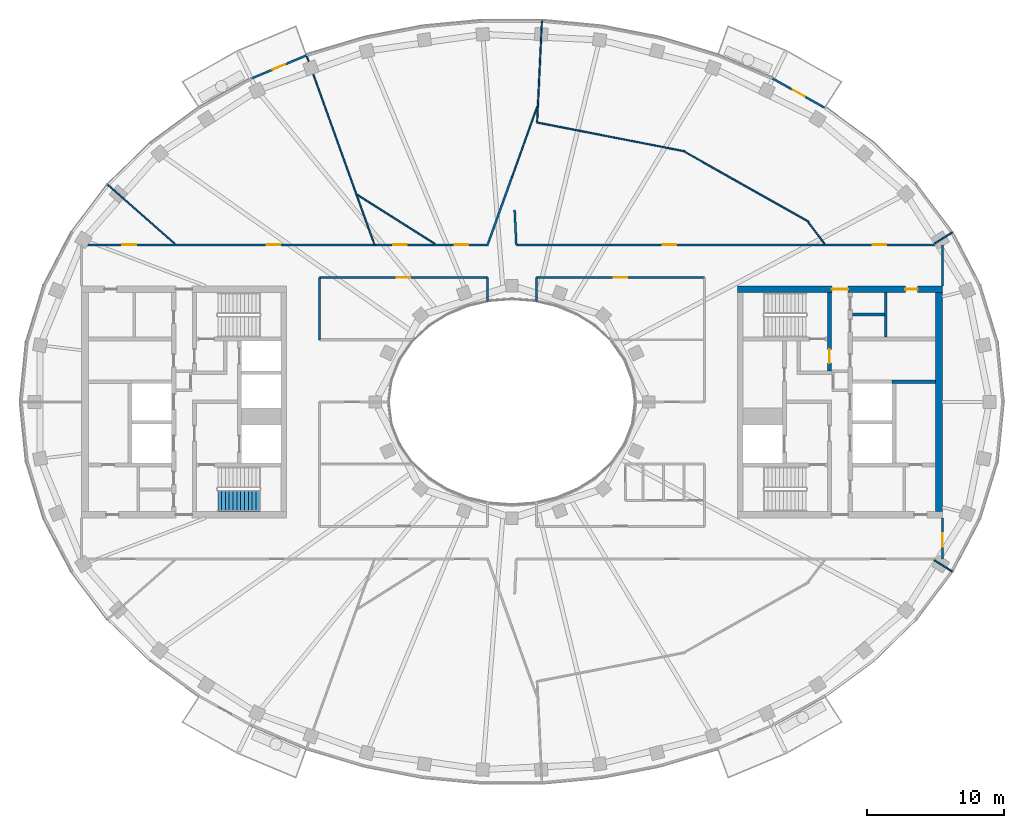
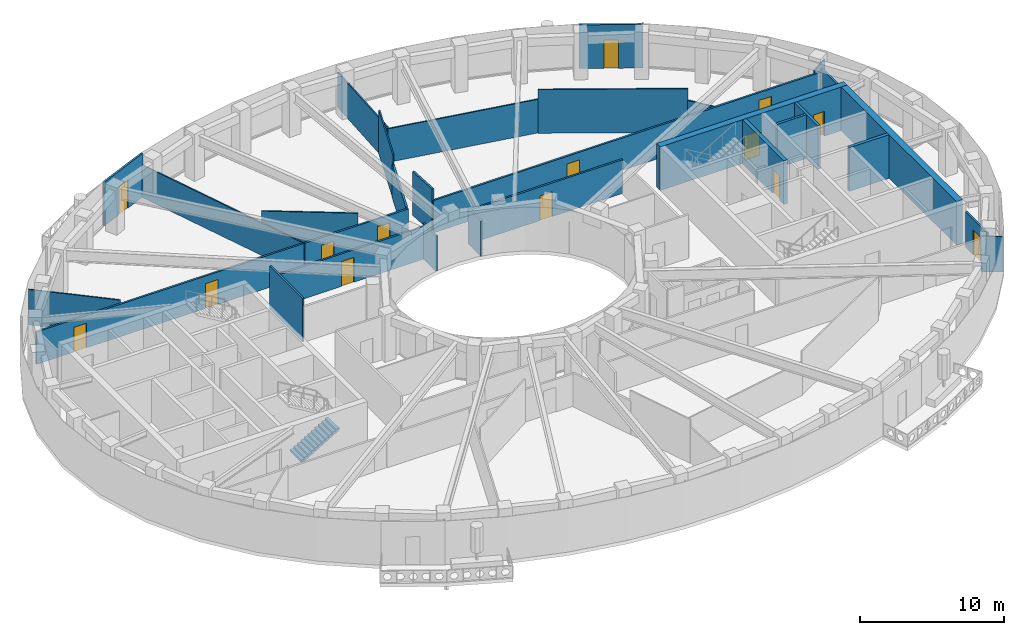
# One storey, part 6 of 15: 30 walls, 14 doors, 1 stair flight, 14 openings, 1 element without a shape of its own.
"""IFC4 building model written with IfcOpenShell, lengths in metres."""

from ifc_helpers import new_model, si_unit, direction, frame, frame_2d, origin, place, context, subcontext, project, spatial, polyline, rectangle, outline, extrude, material, layer, layer_set, type_object, element, fill, aggregate, save


model = new_model("IFC4")

# Units and contexts
model_context = context("Model", 3, precision=1e-05, world=origin(), true_north=direction((0.0, 1.0)))
body_context = subcontext(model_context, "Body", "Model", "MODEL_VIEW")
ifc_project = project(units=[si_unit("LENGTHUNIT", "METRE"), si_unit("AREAUNIT", "SQUARE_METRE"), si_unit("VOLUMEUNIT", "CUBIC_METRE"), si_unit("PLANEANGLEUNIT", "RADIAN"), si_unit("MASSUNIT", "GRAM", prefix="KILO")], contexts=[model_context])

# Site, building, storey
site_placement = place(None, origin())
site = spatial("IfcSite", under=ifc_project, at=site_placement, CompositionType="ELEMENT")
building_placement = place(site_placement, origin())
building = spatial("IfcBuilding", under=site, at=building_placement, Name="Noorbagh Ring Tower", CompositionType="ELEMENT")
storey_placement = place(building_placement, frame((0.0, 0.0, 307.0)))
storey = spatial("IfcBuildingStorey", under=building, at=storey_placement, Name="L66", CompositionType="ELEMENT", Elevation=307.0)

# Walls
ifc_material_1 = material(Name="Gypsum board on steel studs", Category="steel")
ifc_layer_1 = layer(ifc_material_1, 0.199951171875)
ifc_layer_set_1 = layer_set([ifc_layer_1], Name="Gypsum board on steel studs")
wall_type_1 = type_object("IfcWallType", Name="CORE-PARTITION-200", PredefinedType="PARTITIONING", material=ifc_layer_set_1)
wall_1_placement = place(storey_placement, frame((27.35009765625, 4.75, 0.0), z_axis=(0.0, 0.0, 1.0), x_axis=(0.0, 1.0, 0.0)))
element("IfcWall", 1, at=wall_1_placement, inside=storey, type_object=wall_type_1, Name="Core partition E", PredefinedType="PARTITIONING", context=body_context, shape_type="SweptSolid", body=[
    extrude(rectangle(XDim=3.25, YDim=0.199951171875, at=frame_2d((1.625, 0.0))), origin(), (0.0, 0.0, 1.0), 3.699951171875),
])
wall_2_placement = place(storey_placement, frame((24.89990234375, 6.39990234375, 0.0), z_axis=(0.0, 0.0, 1.0), x_axis=(1.0, 0.0, 0.0)))
element("IfcWall", 2, at=wall_2_placement, inside=storey, type_object=wall_type_1, Name="Core partition E", PredefinedType="PARTITIONING", context=body_context, shape_type="SweptSolid", body=[
    extrude(rectangle(XDim=2.35009765625, YDim=0.199951171875, at=frame_2d((1.175048828125, 0.0))), origin(), (0.0, 0.0, 1.0), 3.699951171875),
])
ifc_material_2 = material(Name="Concrete C50/60", Category="concrete")
ifc_layer_2 = layer(ifc_material_2, 0.25)
ifc_layer_set_2 = layer_set([ifc_layer_2], Name="Concrete C50/60")
wall_type_2 = type_object("IfcWallType", Name="CORE-WALL-250-C50-60-EI120", PredefinedType="SHEAR", material=ifc_layer_set_2)
wall_3_placement = place(storey_placement, frame((27.800048828125, 1.47509765625, 0.0), z_axis=(0.0, 0.0, 1.0), x_axis=(1.0, 0.0, 0.0)))
element("IfcWall", 3, at=wall_3_placement, inside=storey, type_object=wall_type_2, Name="Core wall E", PredefinedType="SHEAR", context=body_context, shape_type="SweptSolid", body=[
    extrude(rectangle(XDim=3.199951171875, YDim=0.25, at=frame_2d((1.60009765625, 0.0))), origin(), (0.0, 0.0, 1.0), 3.699951171875),
])

# Wall, opening, door
ifc_material_3 = material(Name="Concrete C50/60", Category="concrete")
ifc_layer_3 = layer(ifc_material_3, 0.300048828125)
ifc_layer_set_3 = layer_set([ifc_layer_3], Name="Concrete C50/60")
wall_type_3 = type_object("IfcWallType", Name="CORE-WALL-300-C50-60-EI240", PredefinedType="SHEAR", material=ifc_layer_set_3)
wall_4_placement = place(storey_placement, frame((23.22998046875, 2.25, 0.0), z_axis=(0.0, 0.0, 1.0), x_axis=(0.0, 1.0, 0.0)))
wall_4 = element("IfcWall", 4, at=wall_4_placement, inside=storey, type_object=wall_type_3, Name="Core wall E", PredefinedType="SHEAR", context=body_context, shape_type="SweptSolid", body=[
    extrude(rectangle(XDim=5.75, YDim=0.300048828125, at=frame_2d((2.875, 0.0))), origin(), (0.0, 0.0, 1.0), 3.699951171875),
])
opening_1_placement = place(wall_4_placement, frame((0.60009765625, 0.0, 0.0)))
opening_1 = element("IfcOpeningElement", 5, at=opening_1_placement, cuts=wall_4, Name="Opening L66-CE07", PredefinedType="OPENING", context=body_context, shape_type="SweptSolid", body=[
    extrude(rectangle(XDim=1.0, YDim=2.10009765625, at=frame_2d((0.5, 1.050048828125))), frame((0.0, 0.16015625, 0.0), z_axis=(0.0, -1.0, 0.0), x_axis=(1.0, 0.0, 0.0)), (0.0, 0.0, 1.0), 0.320068359375),
])
ifc_material_4 = material(Name="Steel door leaf", Category="steel")
door_type_1 = type_object("IfcDoorType", Name="CORE-DOOR-DVEST", OperationType="SINGLE_SWING_LEFT", PredefinedType="DOOR", material=ifc_material_4)
door_1_placement = place(opening_1_placement, origin())
door_1 = element("IfcDoor", 6, at=door_1_placement, inside=storey, type_object=door_type_1, Name="Stair vestibule door L66-CE07", OperationType="SINGLE_SWING_RIGHT", OverallHeight=2.10009765625, OverallWidth=1.0, PredefinedType="DOOR", context=body_context, shape_type="SweptSolid", body=[
    extrude(rectangle(XDim=1.0, YDim=2.10009765625, at=frame_2d((0.5, 1.050048828125))), frame((0.0, 0.02490234375, 0.0), z_axis=(0.0, -1.0, 0.0), x_axis=(1.0, 0.0, 0.0)), (0.0, 0.0, 1.0), 0.050048828125),
])
fill(opening_1, door_1)

# Wall, openings, doors
ifc_material_5 = material(Name="Concrete C50/60", Category="concrete")
ifc_layer_4 = layer(ifc_material_5, 0.5)
ifc_layer_set_4 = layer_set([ifc_layer_4], Name="Concrete C50/60")
wall_type_4 = type_object("IfcWallType", Name="CORE-WALL-500-C50-60-EI240", PredefinedType="SHEAR", material=ifc_layer_set_4)
wall_5_placement = place(storey_placement, frame((16.5, 8.25, 0.0), z_axis=(0.0, 0.0, 1.0), x_axis=(1.0, 0.0, 0.0)))
wall_5 = element("IfcWall", 7, at=wall_5_placement, inside=storey, type_object=wall_type_4, Name="Core wall E", PredefinedType="SHEAR", context=body_context, shape_type="SweptSolid", body=[
    extrude(rectangle(XDim=15.0, YDim=0.5, at=frame_2d((7.5, 0.0))), origin(), (0.0, 0.0, 1.0), 3.699951171875),
])
opening_2_placement = place(wall_5_placement, frame((6.89990234375, 0.0, 0.0)))
opening_2 = element("IfcOpeningElement", 8, at=opening_2_placement, cuts=wall_5, Name="Opening L66-CE08", PredefinedType="OPENING", context=body_context, shape_type="SweptSolid", body=[
    extrude(rectangle(XDim=1.199951171875, YDim=2.10009765625, at=frame_2d((0.60009765625, 1.050048828125))), frame((0.0, 0.260009765625, 0.0), z_axis=(0.0, -1.0, 0.0), x_axis=(1.0, 0.0, 0.0)), (0.0, 0.0, 1.0), 0.52001953125),
])
opening_3_placement = place(wall_5_placement, frame((12.27490234375, 0.0, 0.0)))
opening_3 = element("IfcOpeningElement", 9, at=opening_3_placement, cuts=wall_5, Name="Opening L66-CE14", PredefinedType="OPENING", context=body_context, shape_type="SweptSolid", body=[
    extrude(rectangle(XDim=0.89990234375, YDim=2.10009765625, at=frame_2d((0.449951171875, 1.050048828125))), frame((0.0, 0.260009765625, 0.0), z_axis=(0.0, -1.0, 0.0), x_axis=(1.0, 0.0, 0.0)), (0.0, 0.0, 1.0), 0.52001953125),
])
ifc_material_6 = material(Name="Steel door leaf", Category="steel")
door_type_2 = type_object("IfcDoorType", Name="CORE-DOOR-DROOM", OperationType="SINGLE_SWING_LEFT", PredefinedType="DOOR", material=ifc_material_6)
door_2_placement = place(opening_3_placement, origin())
door_2 = element("IfcDoor", 10, at=door_2_placement, inside=storey, type_object=door_type_2, Name="Core room door L66-CE14", OperationType="SINGLE_SWING_LEFT", OverallHeight=2.10009765625, OverallWidth=0.89990234375, PredefinedType="DOOR", context=body_context, shape_type="SweptSolid", body=[
    extrude(rectangle(XDim=0.89990234375, YDim=2.10009765625, at=frame_2d((0.449951171875, 1.050048828125))), frame((0.0, 0.02490234375, 0.0), z_axis=(0.0, -1.0, 0.0), x_axis=(1.0, 0.0, 0.0)), (0.0, 0.0, 1.0), 0.050048828125),
])
fill(opening_3, door_2)
ifc_material_7 = material(Name="Steel door leaf", Category="steel")
door_type_3 = type_object("IfcDoorType", Name="CORE-DOOR-PORT", OperationType="DOUBLE_DOOR_DOUBLE_SWING", PredefinedType="DOOR", material=ifc_material_7)
door_3_placement = place(opening_2_placement, origin())
door_3 = element("IfcDoor", 11, at=door_3_placement, inside=storey, type_object=door_type_3, Name="Core entrance door L66-CE08", OperationType="DOUBLE_DOOR_DOUBLE_SWING", OverallHeight=2.10009765625, OverallWidth=1.199951171875, PredefinedType="DOOR", context=body_context, shape_type="SweptSolid", body=[
    extrude(rectangle(XDim=1.199951171875, YDim=2.10009765625, at=frame_2d((0.60009765625, 1.050048828125))), frame((0.0, 0.02490234375, 0.0), z_axis=(0.0, -1.0, 0.0), x_axis=(1.0, 0.0, 0.0)), (0.0, 0.0, 1.0), 0.050048828125),
])
fill(opening_2, door_3)

# Wall
wall_6_placement = place(storey_placement, frame((31.25, -8.0, 0.0), z_axis=(0.0, 0.0, 1.0), x_axis=(0.0, 1.0, 0.0)))
element("IfcWall", 12, at=wall_6_placement, inside=storey, type_object=wall_type_4, Name="Core wall E", PredefinedType="SHEAR", context=body_context, shape_type="SweptSolid", body=[
    extrude(rectangle(XDim=16.0, YDim=0.5, at=frame_2d((8.0, 0.0))), origin(), (0.0, 0.0, 1.0), 3.699951171875),
])

# Wall, openings, doors
ifc_material_8 = material(Name="Gypsum board on steel studs", Category="steel")
ifc_layer_5 = layer(ifc_material_8, 0.14990234375)
ifc_layer_set_5 = layer_set([ifc_layer_5], Name="Gypsum board on steel studs")
wall_type_5 = type_object("IfcWallType", Name="CORRIDOR PARTITION 150 EI 30", PredefinedType="PARTITIONING", material=ifc_layer_set_5)
wall_7_placement = place(storey_placement, frame((-31.5, 11.5, 0.0), z_axis=(0.0, 0.0, 1.0), x_axis=(1.0, 0.0, 0.0)))
wall_7 = element("IfcWall", 13, at=wall_7_placement, inside=storey, type_object=wall_type_5, Name="L66/wall/P05", PredefinedType="PARTITIONING", context=body_context, shape_type="SweptSolid", body=[
    extrude(rectangle(XDim=21.431884765625, YDim=0.14990234375, at=frame_2d((10.7158203125, 0.0))), origin(), (0.0, 0.0, 1.0), 2.75),
])
opening_4_placement = place(wall_7_placement, frame((2.9990234375, 0.0, 0.0)))
opening_4 = element("IfcOpeningElement", 14, at=opening_4_placement, cuts=wall_7, Name="Opening D1", PredefinedType="OPENING", context=body_context, shape_type="SweptSolid", body=[
    extrude(rectangle(XDim=1.0, YDim=2.10009765625, at=frame_2d((0.5, 1.050048828125))), frame((0.0, 0.0849609375, 0.0), z_axis=(0.0, -1.0, 0.0), x_axis=(1.0, 0.0, 0.0)), (0.0, 0.0, 1.0), 0.169921875),
])
opening_5_placement = place(wall_7_placement, frame((13.5439453125, 0.0, 0.0)))
opening_5 = element("IfcOpeningElement", 15, at=opening_5_placement, cuts=wall_7, Name="Opening D1", PredefinedType="OPENING", context=body_context, shape_type="SweptSolid", body=[
    extrude(rectangle(XDim=1.0, YDim=2.10009765625, at=frame_2d((0.5, 1.050048828125))), frame((0.0, 0.0849609375, 0.0), z_axis=(0.0, -1.0, 0.0), x_axis=(1.0, 0.0, 0.0)), (0.0, 0.0, 1.0), 0.169921875),
])
ifc_material_9 = material(Name="Timber, painted", Category="wood")
door_type_4 = type_object("IfcDoorType", Name="DOOR 1000 X 2100 FD30", OperationType="SINGLE_SWING_LEFT", PredefinedType="DOOR", material=ifc_material_9)
door_4_placement = place(opening_4_placement, origin())
door_4 = element("IfcDoor", 16, at=door_4_placement, inside=storey, type_object=door_type_4, Name="L66-D07", OperationType="SINGLE_SWING_LEFT", OverallHeight=2.10009765625, OverallWidth=1.0, PredefinedType="DOOR", context=body_context, shape_type="SweptSolid", body=[
    extrude(rectangle(XDim=1.0, YDim=2.10009765625, at=frame_2d((0.5, 1.050048828125))), frame((0.0, 0.02490234375, 0.0), z_axis=(0.0, -1.0, 0.0), x_axis=(1.0, 0.0, 0.0)), (0.0, 0.0, 1.0), 0.050048828125),
])
fill(opening_4, door_4)
door_5_placement = place(opening_5_placement, origin())
door_5 = element("IfcDoor", 17, at=door_5_placement, inside=storey, type_object=door_type_4, Name="L66-D09", OperationType="SINGLE_SWING_LEFT", OverallHeight=2.10009765625, OverallWidth=1.0, PredefinedType="DOOR", context=body_context, shape_type="SweptSolid", body=[
    extrude(rectangle(XDim=1.0, YDim=2.10009765625, at=frame_2d((0.5, 1.050048828125))), frame((0.0, 0.02490234375, 0.0), z_axis=(0.0, -1.0, 0.0), x_axis=(1.0, 0.0, 0.0)), (0.0, 0.0, 1.0), 0.050048828125),
])
fill(opening_5, door_5)

# Wall
wall_8_placement = place(storey_placement, frame((-14.10009765625, 4.550048828125, 0.0), z_axis=(0.0, 0.0, 1.0), x_axis=(0.0, 1.0, 0.0)))
element("IfcWall", 18, at=wall_8_placement, inside=storey, type_object=wall_type_5, Name="L66/wall/P14", PredefinedType="PARTITIONING", context=body_context, shape_type="SweptSolid", body=[
    extrude(rectangle(XDim=4.550048828125, YDim=0.14990234375, at=frame_2d((2.27490234375, 0.0))), origin(), (0.0, 0.0, 1.0), 3.699951171875),
])

# Wall, opening, door
wall_9_placement = place(storey_placement, frame((-14.10009765625, 9.10009765625, 0.0), z_axis=(0.0, 0.0, 1.0), x_axis=(1.0, 0.0, 0.0)))
wall_9 = element("IfcWall", 19, at=wall_9_placement, inside=storey, type_object=wall_type_5, Name="L66/wall/P16", PredefinedType="PARTITIONING", context=body_context, shape_type="SweptSolid", body=[
    extrude(rectangle(XDim=12.300048828125, YDim=0.14990234375, at=frame_2d((6.14990234375, 0.0))), origin(), (0.0, 0.0, 1.0), 2.75),
])
opening_6_placement = place(wall_9_placement, frame((5.64990234375, 0.0, 0.0)))
opening_6 = element("IfcOpeningElement", 20, at=opening_6_placement, cuts=wall_9, Name="Opening D1", PredefinedType="OPENING", context=body_context, shape_type="SweptSolid", body=[
    extrude(rectangle(XDim=1.0, YDim=2.10009765625, at=frame_2d((0.5, 1.050048828125))), frame((0.0, 0.0849609375, 0.0), z_axis=(0.0, -1.0, 0.0), x_axis=(1.0, 0.0, 0.0)), (0.0, 0.0, 1.0), 0.169921875),
])
door_6_placement = place(opening_6_placement, origin())
door_6 = element("IfcDoor", 21, at=door_6_placement, inside=storey, type_object=door_type_4, Name="L66-D21", OperationType="SINGLE_SWING_LEFT", OverallHeight=2.10009765625, OverallWidth=1.0, PredefinedType="DOOR", context=body_context, shape_type="SweptSolid", body=[
    extrude(rectangle(XDim=1.0, YDim=2.10009765625, at=frame_2d((0.5, 1.050048828125))), frame((0.0, 0.02490234375, 0.0), z_axis=(0.0, -1.0, 0.0), x_axis=(1.0, 0.0, 0.0)), (0.0, 0.0, 1.0), 0.050048828125),
])
fill(opening_6, door_6)

# Wall, openings, doors
wall_10_placement = place(storey_placement, frame((-10.0029296875, 11.5, 0.0), z_axis=(0.0, 0.0, 1.0), x_axis=(1.0, 0.0, 0.0)))
wall_10 = element("IfcWall", 22, at=wall_10_placement, inside=storey, type_object=wall_type_5, Name="L66/wall/P20", PredefinedType="PARTITIONING", context=body_context, shape_type="SweptSolid", body=[
    extrude(rectangle(XDim=8.2978515625, YDim=0.14990234375, at=frame_2d((4.14892578125, 0.0))), origin(), (0.0, 0.0, 1.0), 2.75),
])
opening_7_placement = place(wall_10_placement, frame((5.818115234375, 0.0, 0.0)))
opening_7 = element("IfcOpeningElement", 23, at=opening_7_placement, cuts=wall_10, Name="Opening D1", PredefinedType="OPENING", context=body_context, shape_type="SweptSolid", body=[
    extrude(rectangle(XDim=1.0, YDim=2.10009765625, at=frame_2d((0.5, 1.050048828125))), frame((0.0, 0.0849609375, 0.0), z_axis=(0.0, -1.0, 0.0), x_axis=(1.0, 0.0, 0.0)), (0.0, 0.0, 1.0), 0.169921875),
])
opening_8_placement = place(wall_10_placement, frame((1.31494140625, 0.0, 0.0)))
opening_8 = element("IfcOpeningElement", 24, at=opening_8_placement, cuts=wall_10, Name="Opening D1", PredefinedType="OPENING", context=body_context, shape_type="SweptSolid", body=[
    extrude(rectangle(XDim=1.0, YDim=2.10009765625, at=frame_2d((0.5, 1.050048828125))), frame((0.0, 0.0849609375, 0.0), z_axis=(0.0, -1.0, 0.0), x_axis=(1.0, 0.0, 0.0)), (0.0, 0.0, 1.0), 0.169921875),
])
door_7_placement = place(opening_7_placement, origin())
door_7 = element("IfcDoor", 25, at=door_7_placement, inside=storey, type_object=door_type_4, Name="L66-D11", OperationType="SINGLE_SWING_LEFT", OverallHeight=2.10009765625, OverallWidth=1.0, PredefinedType="DOOR", context=body_context, shape_type="SweptSolid", body=[
    extrude(rectangle(XDim=1.0, YDim=2.10009765625, at=frame_2d((0.5, 1.050048828125))), frame((0.0, 0.02490234375, 0.0), z_axis=(0.0, -1.0, 0.0), x_axis=(1.0, 0.0, 0.0)), (0.0, 0.0, 1.0), 0.050048828125),
])
fill(opening_7, door_7)
door_8_placement = place(opening_8_placement, origin())
door_8 = element("IfcDoor", 26, at=door_8_placement, inside=storey, type_object=door_type_4, Name="L66-D13", OperationType="SINGLE_SWING_RIGHT", OverallHeight=2.10009765625, OverallWidth=1.0, PredefinedType="DOOR", context=body_context, shape_type="SweptSolid", body=[
    extrude(rectangle(XDim=1.0, YDim=2.10009765625, at=frame_2d((0.5, 1.050048828125))), frame((0.0, 0.02490234375, 0.0), z_axis=(0.0, -1.0, 0.0), x_axis=(1.0, 0.0, 0.0)), (0.0, 0.0, 1.0), 0.050048828125),
])
fill(opening_8, door_8)

# Walls
wall_11_placement = place(storey_placement, frame((-1.800048828125, 7.3359375, 0.0), z_axis=(0.0, 0.0, 1.0), x_axis=(0.0, 1.0, 0.0)))
element("IfcWall", 27, at=wall_11_placement, inside=storey, type_object=wall_type_5, Name="L66/wall/P22", PredefinedType="PARTITIONING", context=body_context, shape_type="SweptSolid", body=[
    extrude(rectangle(XDim=1.76416015625, YDim=0.14990234375, at=frame_2d((0.882080078125, 0.0))), origin(), (0.0, 0.0, 1.0), 3.0),
])
wall_12_placement = place(storey_placement, frame((-1.757080078125, 11.5791015625, 0.0), z_axis=(0.0, 0.0, 1.0), x_axis=(0.338313142308, 0.941033590124, 0.0)))
element("IfcWall", 28, at=wall_12_placement, inside=storey, type_object=wall_type_5, Name="L66/wall/P24", PredefinedType="PARTITIONING", context=body_context, shape_type="SweptSolid", body=[
    extrude(rectangle(XDim=5.255615234375, YDim=0.14990234375, at=frame_2d((2.6279296875, 0.0))), origin(), (0.0, 0.0, 1.0), 2.85009765625),
])
wall_13_placement = place(storey_placement, frame((0.194091796875, 14.049072265625, 0.0), z_axis=(0.0, 0.0, 1.0), x_axis=(0.047428579634, -0.99887463169, 0.0)))
element("IfcWall", 29, at=wall_13_placement, inside=storey, type_object=wall_type_5, Name="L66/wall/P28", PredefinedType="PARTITIONING", context=body_context, shape_type="SweptSolid", body=[
    extrude(rectangle(XDim=2.548095703125, YDim=0.14990234375, at=frame_2d((1.27392578125, 0.0))), origin(), (0.0, 0.0, 1.0), 3.699951171875),
])

# Wall, openings, doors
wall_14_placement = place(storey_placement, frame((0.31494140625, 11.5, 0.0), z_axis=(0.0, 0.0, 1.0), x_axis=(1.0, 0.0, 0.0)))
wall_14 = element("IfcWall", 30, at=wall_14_placement, inside=storey, type_object=wall_type_5, Name="L66/wall/P30", PredefinedType="PARTITIONING", context=body_context, shape_type="SweptSolid", body=[
    extrude(rectangle(XDim=31.18505859375, YDim=0.14990234375, at=frame_2d((15.592529296875, 0.0))), origin(), (0.0, 0.0, 1.0), 2.75),
])
opening_9_placement = place(wall_14_placement, frame((10.708984375, 0.0, 0.0)))
opening_9 = element("IfcOpeningElement", 31, at=opening_9_placement, cuts=wall_14, Name="Opening D1", PredefinedType="OPENING", context=body_context, shape_type="SweptSolid", body=[
    extrude(rectangle(XDim=1.0, YDim=2.10009765625, at=frame_2d((0.5, 1.050048828125))), frame((0.0, 0.0849609375, 0.0), z_axis=(0.0, -1.0, 0.0), x_axis=(1.0, 0.0, 0.0)), (0.0, 0.0, 1.0), 0.169921875),
])
opening_10_placement = place(wall_14_placement, frame((26.069091796875, 0.0, 0.0)))
opening_10 = element("IfcOpeningElement", 32, at=opening_10_placement, cuts=wall_14, Name="Opening D1", PredefinedType="OPENING", context=body_context, shape_type="SweptSolid", body=[
    extrude(rectangle(XDim=1.0, YDim=2.10009765625, at=frame_2d((0.5, 1.050048828125))), frame((0.0, 0.0849609375, 0.0), z_axis=(0.0, -1.0, 0.0), x_axis=(1.0, 0.0, 0.0)), (0.0, 0.0, 1.0), 0.169921875),
])
door_9_placement = place(opening_9_placement, origin())
door_9 = element("IfcDoor", 33, at=door_9_placement, inside=storey, type_object=door_type_4, Name="L66-D15", OperationType="SINGLE_SWING_LEFT", OverallHeight=2.10009765625, OverallWidth=1.0, PredefinedType="DOOR", context=body_context, shape_type="SweptSolid", body=[
    extrude(rectangle(XDim=1.0, YDim=2.10009765625, at=frame_2d((0.5, 1.050048828125))), frame((0.0, 0.02490234375, 0.0), z_axis=(0.0, -1.0, 0.0), x_axis=(1.0, 0.0, 0.0)), (0.0, 0.0, 1.0), 0.050048828125),
])
fill(opening_9, door_9)
door_10_placement = place(opening_10_placement, origin())
door_10 = element("IfcDoor", 34, at=door_10_placement, inside=storey, type_object=door_type_4, Name="L66-D17", OperationType="SINGLE_SWING_LEFT", OverallHeight=2.10009765625, OverallWidth=1.0, PredefinedType="DOOR", context=body_context, shape_type="SweptSolid", body=[
    extrude(rectangle(XDim=1.0, YDim=2.10009765625, at=frame_2d((0.5, 1.050048828125))), frame((0.0, 0.02490234375, 0.0), z_axis=(0.0, -1.0, 0.0), x_axis=(1.0, 0.0, 0.0)), (0.0, 0.0, 1.0), 0.050048828125),
])
fill(opening_10, door_10)

# Wall
wall_15_placement = place(storey_placement, frame((1.800048828125, 7.3359375, 0.0), z_axis=(0.0, 0.0, 1.0), x_axis=(0.0, 1.0, 0.0)))
element("IfcWall", 35, at=wall_15_placement, inside=storey, type_object=wall_type_5, Name="L66/wall/P33", PredefinedType="PARTITIONING", context=body_context, shape_type="SweptSolid", body=[
    extrude(rectangle(XDim=1.76416015625, YDim=0.14990234375, at=frame_2d((0.882080078125, 0.0))), origin(), (0.0, 0.0, 1.0), 3.0),
])

# Wall, opening, door
wall_16_placement = place(storey_placement, frame((1.800048828125, 9.10009765625, 0.0), z_axis=(0.0, 0.0, 1.0), x_axis=(1.0, 0.0, 0.0)))
wall_16 = element("IfcWall", 36, at=wall_16_placement, inside=storey, type_object=wall_type_5, Name="L66/wall/P34", PredefinedType="PARTITIONING", context=body_context, shape_type="SweptSolid", body=[
    extrude(rectangle(XDim=12.300048828125, YDim=0.14990234375, at=frame_2d((6.14990234375, 0.0))), origin(), (0.0, 0.0, 1.0), 2.85009765625),
])
opening_11_placement = place(wall_16_placement, frame((5.64990234375, 0.0, 0.0)))
opening_11 = element("IfcOpeningElement", 37, at=opening_11_placement, cuts=wall_16, Name="Opening D1", PredefinedType="OPENING", context=body_context, shape_type="SweptSolid", body=[
    extrude(rectangle(XDim=1.0, YDim=2.10009765625, at=frame_2d((0.5, 1.050048828125))), frame((0.0, 0.0849609375, 0.0), z_axis=(0.0, -1.0, 0.0), x_axis=(1.0, 0.0, 0.0)), (0.0, 0.0, 1.0), 0.169921875),
])
door_11_placement = place(opening_11_placement, origin())
door_11 = element("IfcDoor", 38, at=door_11_placement, inside=storey, type_object=door_type_4, Name="L66-D22", OperationType="SINGLE_SWING_RIGHT", OverallHeight=2.10009765625, OverallWidth=1.0, PredefinedType="DOOR", context=body_context, shape_type="SweptSolid", body=[
    extrude(rectangle(XDim=1.0, YDim=2.10009765625, at=frame_2d((0.5, 1.050048828125))), frame((0.0, 0.02490234375, 0.0), z_axis=(0.0, -1.0, 0.0), x_axis=(1.0, 0.0, 0.0)), (0.0, 0.0, 1.0), 0.050048828125),
])
fill(opening_11, door_11)

wall_17_placement = place(storey_placement, frame((31.5, -11.5, 0.0), z_axis=(0.0, 0.0, 1.0), x_axis=(0.0, 1.0, 0.0)))
wall_17 = element("IfcWall", 39, at=wall_17_placement, inside=storey, type_object=wall_type_5, Name="L66/wall/P56", PredefinedType="PARTITIONING", context=body_context, shape_type="SweptSolid", body=[
    extrude(rectangle(XDim=3.0, YDim=0.14990234375, at=frame_2d((1.5, 0.0))), origin(), (0.0, 0.0, 1.0), 3.0),
])
opening_12_placement = place(wall_17_placement, frame((0.89990234375, 0.0, 0.0)))
opening_12 = element("IfcOpeningElement", 40, at=opening_12_placement, cuts=wall_17, Name="Opening D1", PredefinedType="OPENING", context=body_context, shape_type="SweptSolid", body=[
    extrude(rectangle(XDim=1.0, YDim=2.10009765625, at=frame_2d((0.5, 1.050048828125))), frame((0.0, 0.0849609375, 0.0), z_axis=(0.0, -1.0, 0.0), x_axis=(1.0, 0.0, 0.0)), (0.0, 0.0, 1.0), 0.169921875),
])
door_12_placement = place(opening_12_placement, origin())
door_12 = element("IfcDoor", 41, at=door_12_placement, inside=storey, type_object=door_type_4, Name="L66-D18", OperationType="SINGLE_SWING_RIGHT", OverallHeight=2.10009765625, OverallWidth=1.0, PredefinedType="DOOR", context=body_context, shape_type="SweptSolid", body=[
    extrude(rectangle(XDim=1.0, YDim=2.10009765625, at=frame_2d((0.5, 1.050048828125))), frame((0.0, 0.02490234375, 0.0), z_axis=(0.0, -1.0, 0.0), x_axis=(1.0, 0.0, 0.0)), (0.0, 0.0, 1.0), 0.050048828125),
])
fill(opening_12, door_12)

# Wall
wall_18_placement = place(storey_placement, frame((31.5, 8.5, 0.0), z_axis=(0.0, 0.0, 1.0), x_axis=(0.0, 1.0, 0.0)))
element("IfcWall", 42, at=wall_18_placement, inside=storey, type_object=wall_type_5, Name="L66/wall/P57", PredefinedType="PARTITIONING", context=body_context, shape_type="SweptSolid", body=[
    extrude(rectangle(XDim=3.0, YDim=0.14990234375, at=frame_2d((1.5, 0.0))), origin(), (0.0, 0.0, 1.0), 3.0),
])

# Wall, opening, door
ifc_material_10 = material(Name="Insulated aluminium clad panel", Category="aluminium")
ifc_layer_6 = layer(ifc_material_10, 0.14990234375)
ifc_layer_set_6 = layer_set([ifc_layer_6], Name="Insulated aluminium clad panel")
wall_type_6 = type_object("IfcWallType", Name="ENV-WALL-DOOR", PredefinedType="STANDARD", material=ifc_layer_set_6)
wall_19_placement = place(storey_placement, frame((22.913330078125, 21.508544921875, 0.0), z_axis=(0.0, 0.0, 1.0), x_axis=(-0.872046572975, 0.489422899509, 0.0)))
wall_19 = element("IfcWall", 43, at=wall_19_placement, inside=storey, type_object=wall_type_6, Name="Balcony door wall chord 07", PredefinedType="STANDARD", context=body_context, shape_type="SweptSolid", body=[
    extrude(rectangle(XDim=4.425537109375, YDim=0.14990234375, at=frame_2d((2.212890625, 0.0))), origin(), (0.0, 0.0, 1.0), 3.699951171875),
])
opening_13_placement = place(wall_19_placement, frame((1.712646484375, 0.0, 0.0)))
opening_13 = element("IfcOpeningElement", 44, at=opening_13_placement, cuts=wall_19, Name="Opening D-BL", PredefinedType="OPENING", context=body_context, shape_type="SweptSolid", body=[
    extrude(rectangle(XDim=1.0, YDim=2.39990234375, at=frame_2d((0.5, 1.199951171875))), frame((0.0, 0.0849609375, 0.0), z_axis=(0.0, -1.0, 0.0), x_axis=(1.0, 0.0, 0.0)), (0.0, 0.0, 1.0), 0.169921875),
])
ifc_material_11 = material(Name="Aluminium and glass", Category="aluminium")
door_type_5 = type_object("IfcDoorType", Name="ENV-DOOR-BALCONY", OperationType="SINGLE_SWING_LEFT", PredefinedType="DOOR", material=ifc_material_11)
door_13_placement = place(opening_13_placement, origin())
door_13 = element("IfcDoor", 45, at=door_13_placement, inside=storey, type_object=door_type_5, Name="Balcony door chord 07", OperationType="SINGLE_SWING_LEFT", OverallHeight=2.39990234375, OverallWidth=1.0, PredefinedType="DOOR", context=body_context, shape_type="SweptSolid", body=[
    extrude(rectangle(XDim=1.0, YDim=2.39990234375, at=frame_2d((0.5, 1.199951171875))), frame((0.0, 0.02490234375, 0.0), z_axis=(0.0, -1.0, 0.0), x_axis=(1.0, 0.0, 0.0)), (0.0, 0.0, 1.0), 0.050048828125),
])
fill(opening_13, door_13)

wall_20_placement = place(storey_placement, frame((-15.017822265625, 25.368896484375, 0.0), z_axis=(0.0, 0.0, 1.0), x_axis=(-0.921816985161, -0.387625393736, 0.0)))
wall_20 = element("IfcWall", 46, at=wall_20_placement, inside=storey, type_object=wall_type_6, Name="Balcony door wall chord 16", PredefinedType="STANDARD", context=body_context, shape_type="SweptSolid", body=[
    extrude(rectangle(XDim=4.42578125, YDim=0.14990234375, at=frame_2d((2.212890625, 0.0))), origin(), (0.0, 0.0, 1.0), 3.699951171875),
])
opening_14_placement = place(wall_20_placement, frame((1.712890625, 0.0, 0.0)))
opening_14 = element("IfcOpeningElement", 47, at=opening_14_placement, cuts=wall_20, Name="Opening D-BL", PredefinedType="OPENING", context=body_context, shape_type="SweptSolid", body=[
    extrude(rectangle(XDim=1.0, YDim=2.39990234375, at=frame_2d((0.5, 1.199951171875))), frame((0.0, 0.0849609375, 0.0), z_axis=(0.0, -1.0, 0.0), x_axis=(1.0, 0.0, 0.0)), (0.0, 0.0, 1.0), 0.169921875),
])
door_14_placement = place(opening_14_placement, origin())
door_14 = element("IfcDoor", 48, at=door_14_placement, inside=storey, type_object=door_type_5, Name="Balcony door chord 16", OperationType="SINGLE_SWING_LEFT", OverallHeight=2.39990234375, OverallWidth=1.0, PredefinedType="DOOR", context=body_context, shape_type="SweptSolid", body=[
    extrude(rectangle(XDim=1.0, YDim=2.39990234375, at=frame_2d((0.5, 1.199951171875))), frame((0.0, 0.02490234375, 0.0), z_axis=(0.0, -1.0, 0.0), x_axis=(1.0, 0.0, 0.0)), (0.0, 0.0, 1.0), 0.050048828125),
])
fill(opening_14, door_14)

# Walls
ifc_material_12 = material(Name="Gypsum board on steel studs", Category="steel")
ifc_layer_7 = layer(ifc_material_12, 0.10009765625)
ifc_layer_set_7 = layer_set([ifc_layer_7], Name="Gypsum board on steel studs")
wall_type_7 = type_object("IfcWallType", Name="PARTITION 100 GYPSUM", PredefinedType="PARTITIONING", material=ifc_layer_set_7)
wall_21_placement = place(storey_placement, frame((-29.569091796875, 15.89501953125, 0.0), z_axis=(0.0, 0.0, 1.0), x_axis=(0.748988695283, -0.662582775461, 0.0)))
element("IfcWall", 49, at=wall_21_placement, inside=storey, type_object=wall_type_7, Name="L66/wall/P07", PredefinedType="PARTITIONING", context=body_context, shape_type="SweptSolid", body=[
    extrude(rectangle(XDim=6.515625, YDim=0.10009765625, at=frame_2d((3.2578125, 0.0))), origin(), (0.0, 0.0, 1.0), 3.0),
])
wall_22_placement = place(storey_placement, frame((-15.047119140625, 25.383056640625, 0.0), z_axis=(0.0, 0.0, 1.0), x_axis=(0.338338153279, -0.941024597997, 0.0)))
element("IfcWall", 50, at=wall_22_placement, inside=storey, type_object=wall_type_7, Name="L66/wall/P09", PredefinedType="PARTITIONING", context=body_context, shape_type="SweptSolid", body=[
    extrude(rectangle(XDim=14.82861328125, YDim=0.10009765625, at=frame_2d((7.414306640625, 0.0))), origin(), (0.0, 0.0, 1.0), 2.75),
])
wall_23_placement = place(storey_placement, frame((-11.319091796875, 15.160888671875, 0.0), z_axis=(0.0, 0.0, 1.0), x_axis=(0.844865171483, -0.534979291203, 0.0)))
element("IfcWall", 51, at=wall_23_placement, inside=storey, type_object=wall_type_7, Name="L66/wall/P18", PredefinedType="PARTITIONING", context=body_context, shape_type="SweptSolid", body=[
    extrude(rectangle(XDim=6.702880859375, YDim=0.10009765625, at=frame_2d((3.3515625, 0.0))), origin(), (0.0, 0.0, 1.0), 3.699951171875),
])
wall_24_placement = place(storey_placement, frame((-0.010009765625, 16.43798828125, 0.0), z_axis=(0.0, 0.0, 1.0), x_axis=(0.338376018219, 0.941010983089, 0.0)))
element("IfcWall", 52, at=wall_24_placement, inside=storey, type_object=wall_type_7, Name="L66/wall/P26", PredefinedType="PARTITIONING", context=body_context, shape_type="SweptSolid", body=[
    extrude(rectangle(XDim=5.48779296875, YDim=0.10009765625, at=frame_2d((2.743896484375, 0.0))), origin(), (0.0, 0.0, 1.0), 3.699951171875),
])
wall_25_placement = place(storey_placement, frame((1.8359375, 20.447998046875, 0.0), z_axis=(0.0, 0.0, 1.0), x_axis=(0.04746405939, 0.998872946408, 0.0)))
element("IfcWall", 53, at=wall_25_placement, inside=storey, type_object=wall_type_7, Name="L66/wall/P37", PredefinedType="PARTITIONING", context=body_context, shape_type="SweptSolid", body=[
    extrude(rectangle(XDim=7.458251953125, YDim=0.10009765625, at=frame_2d((3.72900390625, 0.0))), origin(), (0.0, 0.0, 1.0), 3.0),
])
wall_26_placement = place(storey_placement, frame((1.8359375, 20.447998046875, 0.0), z_axis=(0.0, 0.0, 1.0), x_axis=(0.981503271738, -0.191445364444, 0.0)))
element("IfcWall", 54, at=wall_26_placement, inside=storey, type_object=wall_type_7, Name="L66/wall/P38", PredefinedType="PARTITIONING", context=body_context, shape_type="SweptSolid", body=[
    extrude(rectangle(XDim=11.0322265625, YDim=0.10009765625, at=frame_2d((5.51611328125, 0.0))), origin(), (0.0, 0.0, 1.0), 2.85009765625),
])
wall_27_placement = place(storey_placement, frame((12.64794921875, 18.29296875, 0.0), z_axis=(0.0, 0.0, 1.0), x_axis=(0.871228121457, -0.490878355994, 0.0)))
element("IfcWall", 55, at=wall_27_placement, inside=storey, type_object=wall_type_7, Name="L66/wall/P48", PredefinedType="PARTITIONING", context=body_context, shape_type="SweptSolid", body=[
    extrude(rectangle(XDim=10.403564453125, YDim=0.10009765625, at=frame_2d((5.20166015625, 0.0))), origin(), (0.0, 0.0, 1.0), 3.699951171875),
])
wall_28_placement = place(storey_placement, frame((21.678955078125, 13.14794921875, 0.0), z_axis=(0.0, 0.0, 1.0), x_axis=(0.602755856466, -0.797925671661, 0.0)))
element("IfcWall", 56, at=wall_28_placement, inside=storey, type_object=wall_type_7, Name="L66/wall/P53", PredefinedType="PARTITIONING", context=body_context, shape_type="SweptSolid", body=[
    extrude(rectangle(XDim=1.9677734375, YDim=0.10009765625, at=frame_2d((0.98388671875, 0.0))), origin(), (0.0, 0.0, 1.0), 2.75),
])
for number, where, z_axis, x_axis, name in (
    (57, (30.89697265625, -11.574951171875, 0.0), (0.0, 0.0, 1.0), (0.844757626245, -0.535149094086, 0.0), "L66/wall/P54"),
    (58, (30.89697265625, 11.574951171875, 0.0), (0.0, 0.0, 1.0), (0.844757626245, 0.535149094086, 0.0), "L66/wall/P55"),
):
    element("IfcWall", number, at=place(storey_placement, frame(where, z_axis=z_axis, x_axis=x_axis)), inside=storey, type_object=wall_type_7, Name=name, PredefinedType="PARTITIONING", context=body_context, shape_type="SweptSolid", body=[
        extrude(rectangle(XDim=1.556640625, YDim=0.10009765625, at=frame_2d((0.7783203125, 0.0))), origin(), (0.0, 0.0, 1.0), 3.0),
    ])

# Stair, stair flight
ifc_material_13 = material(Name="Concrete C40/50", Category="concrete")
stair_type = type_object("IfcStairType", Name="CORE-STAIR", PredefinedType="HALF_TURN_STAIR", material=ifc_material_13)
stair_placement = place(storey_placement, origin())
stair = element("IfcStair", 59, at=stair_placement, inside=storey, type_object=stair_type, Name="L66 Exit stair ST2", PredefinedType="HALF_TURN_STAIR")
ifc_material_14 = material(Name="Concrete C40/50", Category="concrete")
stair_flight_type = type_object("IfcStairFlightType", Name="CORE-STAIR-FLIGHT", PredefinedType="STRAIGHT", material=ifc_material_14)
stair_flight_placement = place(storey_placement, frame((-21.530029296875, -7.22509765625, 0.0), z_axis=(0.0, 0.0, 1.0), x_axis=(1.0, 0.0, 0.0)))
stair_flight = element("IfcStairFlight", 60, at=stair_flight_placement, type_object=stair_flight_type, Name="ST2 flight 1", NumberOfRisers=12, NumberOfTreads=11, PredefinedType="STRAIGHT", RiserHeight=0.166666667, TreadLength=0.28, context=body_context, shape_type="SweptSolid", body=[
    extrude(outline(polyline([(0.0, 0.0), (0.0, 0.166748046875), (0.280029296875, 0.166748046875), (0.280029296875, 0.333251953125), (0.56005859375, 0.333251953125), (0.56005859375, 0.5), (0.840087890625, 0.5), (0.840087890625, 0.666748046875), (1.1201171875, 0.666748046875), (1.1201171875, 0.833251953125), (1.39990234375, 0.833251953125), (1.39990234375, 1.0), (1.679931640625, 1.0), (1.679931640625, 1.166748046875), (1.9599609375, 1.166748046875), (1.9599609375, 1.333251953125), (2.239990234375, 1.333251953125), (2.239990234375, 1.5), (2.52001953125, 1.5), (2.52001953125, 1.666748046875), (2.800048828125, 1.666748046875), (2.800048828125, 1.833251953125), (3.080078125, 1.833251953125), (3.080078125, 2.0), (3.080078125, 1.658935546875), (0.29296875, 0.0), (0.0, 0.0)])), frame((0.0, 0.77490234375, 0.0), z_axis=(0.0, -1.0, 0.0), x_axis=(1.0, 0.0, 0.0)), (0.0, 0.0, 1.0), 1.550048828125),
])
aggregate(stair, [stair_flight])

save(model, "model.ifc")
